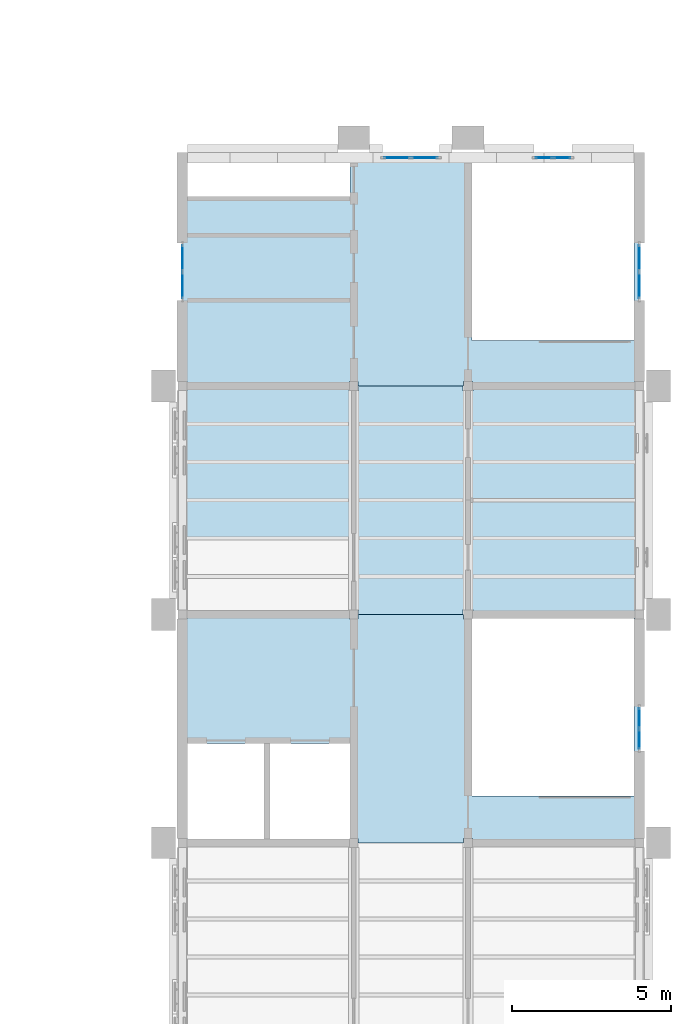
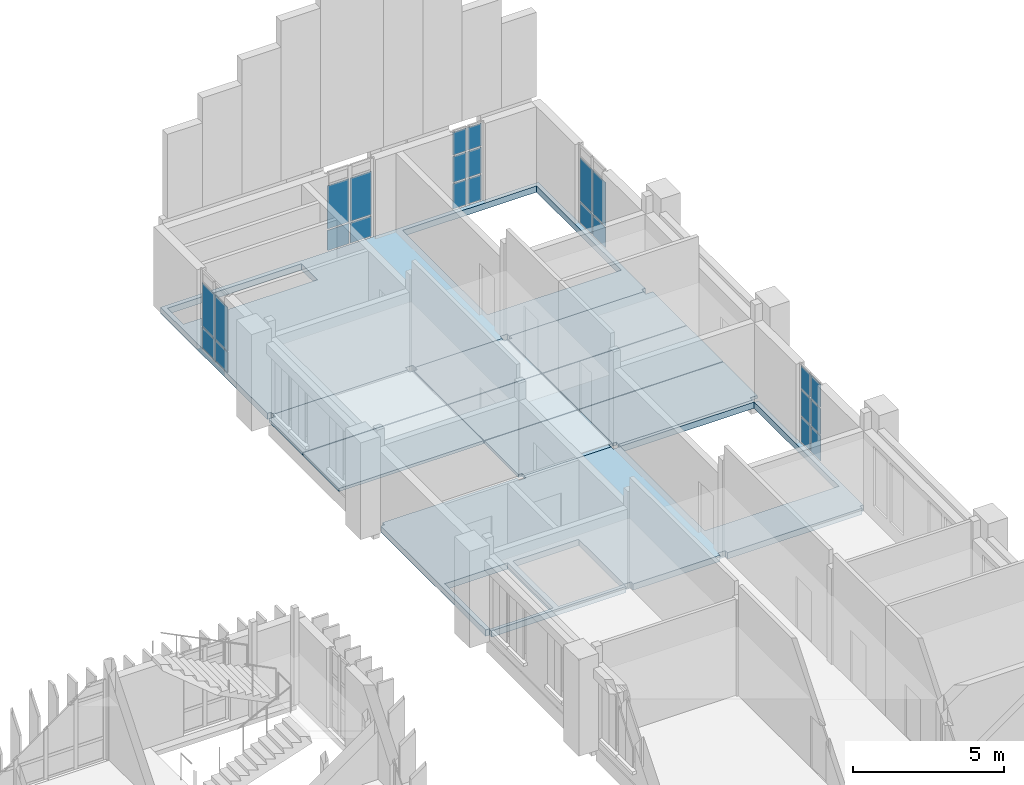
# One storey, part 37 of 71: 24 plates, 10 slabs, 5 elements without a shape of their own.
"""IFC4 building model written with IfcOpenShell, lengths in metres."""

from ifc_helpers import new_model, si_unit, direction, frame, origin, origin_2d, place, context, subcontext, project, spatial, polyline, rectangle, outline, extrude, material, layer, layer_set, type_object, element, aggregate, save


model = new_model("IFC4")

# Units and contexts
model_context = context("Model", 3, precision=1e-05, world=origin(), true_north=direction((0.0, 1.0)))
body_context = subcontext(model_context, "Body", "Model", "MODEL_VIEW")
ifc_project = project(units=[si_unit("LENGTHUNIT", "METRE"), si_unit("AREAUNIT", "SQUARE_METRE"), si_unit("VOLUMEUNIT", "CUBIC_METRE"), si_unit("PLANEANGLEUNIT", "RADIAN"), si_unit("MASSUNIT", "GRAM", prefix="KILO")], contexts=[model_context])

# Site, building, storey
site_placement = place(None, origin())
site = spatial("IfcSite", under=ifc_project, at=site_placement, CompositionType="ELEMENT")
building_placement = place(site_placement, origin())
building = spatial("IfcBuilding", under=site, at=building_placement, Name="Mazhai Court Health Centre", CompositionType="ELEMENT")
storey_placement = place(building_placement, frame((0.0, 0.0, 10.199951171875)))
storey = spatial("IfcBuildingStorey", under=building, at=storey_placement, Name="L02", CompositionType="ELEMENT", Elevation=10.199951171875)

# Slabs
ifc_material_1 = material(Name="CLT C24 5-ply", Category="wood")
ifc_layer_1 = layer(ifc_material_1, 0.1201171875)
ifc_layer_set_1 = layer_set([ifc_layer_1], Name="CLT C24 5-ply 120 floor panel")
slab_type_1 = type_object("IfcSlabType", Name="CLT C24 5-ply 120 floor panel", PredefinedType="FLOOR", material=ifc_layer_set_1)
slab_1_placement = place(storey_placement, frame((0.0, 0.0, -0.119873046875)))
element("IfcSlab", 1, at=slab_1_placement, inside=storey, type_object=slab_type_1, Name="slab-V6-L02-b4-A1", PredefinedType="FLOOR", context=body_context, shape_type="SweptSolid", body=[
    extrude(outline(polyline([(135.679931640625, 37.409912109375), (141.18994140625, 37.409912109375), (141.18994140625, 39.7900390625), (135.679931640625, 39.7900390625), (135.679931640625, 37.409912109375)])), origin(), (0.0, 0.0, 1.0), 0.119873046875),
])
slab_2_placement = place(storey_placement, frame((0.0, 0.0, -0.119873046875)))
element("IfcSlab", 2, at=slab_2_placement, inside=storey, type_object=slab_type_1, Name="slab-V6-L02-b4-A2", PredefinedType="FLOOR", context=body_context, shape_type="SweptSolid", body=[
    extrude(outline(polyline([(141.18994140625, 39.81005859375), (141.18994140625, 42.050048828125), (141.050048828125, 42.050048828125), (141.050048828125, 42.199951171875), (135.949951171875, 42.199951171875), (135.949951171875, 42.050048828125), (135.679931640625, 42.050048828125), (135.679931640625, 39.81005859375), (141.18994140625, 39.81005859375)])), origin(), (0.0, 0.0, 1.0), 0.119873046875),
])
slab_3_placement = place(storey_placement, frame((0.0, 0.0, -0.119873046875)))
element("IfcSlab", 3, at=slab_3_placement, inside=storey, type_object=slab_type_1, Name="slab-V6-L02-b4-C0", PredefinedType="FLOOR", context=body_context, shape_type="SweptSolid", body=[
    extrude(outline(polyline([(141.2099609375, 37.389892578125), (141.2099609375, 35.14990234375), (141.35009765625, 35.14990234375), (141.35009765625, 35.0), (144.64990234375, 35.0), (144.64990234375, 35.14990234375), (144.7900390625, 35.14990234375), (144.7900390625, 37.389892578125), (141.2099609375, 37.389892578125)])), origin(), (0.0, 0.0, 1.0), 0.119873046875),
])
slab_4_placement = place(storey_placement, frame((0.0, 0.0, -0.119873046875)))
element("IfcSlab", 4, at=slab_4_placement, inside=storey, type_object=slab_type_1, Name="slab-V6-L02-b4-C1", PredefinedType="FLOOR", context=body_context, shape_type="SweptSolid", body=[
    extrude(outline(polyline([(141.2099609375, 37.409912109375), (144.7900390625, 37.409912109375), (144.7900390625, 39.7900390625), (141.2099609375, 39.7900390625), (141.2099609375, 37.409912109375)])), origin(), (0.0, 0.0, 1.0), 0.119873046875),
])
slab_5_placement = place(storey_placement, frame((0.0, 0.0, -0.119873046875)))
element("IfcSlab", 5, at=slab_5_placement, inside=storey, type_object=slab_type_1, Name="slab-V6-L02-b4-C2", PredefinedType="FLOOR", context=body_context, shape_type="SweptSolid", body=[
    extrude(outline(polyline([(144.7900390625, 39.81005859375), (144.7900390625, 42.050048828125), (144.64990234375, 42.050048828125), (144.64990234375, 42.199951171875), (141.35009765625, 42.199951171875), (141.35009765625, 42.050048828125), (141.2099609375, 42.050048828125), (141.2099609375, 39.81005859375), (144.7900390625, 39.81005859375)])), origin(), (0.0, 0.0, 1.0), 0.119873046875),
])
slab_6_placement = place(storey_placement, frame((0.0, 0.0, -0.119873046875)))
element("IfcSlab", 6, at=slab_6_placement, inside=storey, type_object=slab_type_1, Name="slab-V6-L02-b4-B0", PredefinedType="FLOOR", context=body_context, shape_type="SweptSolid", body=[
    extrude(outline(polyline([(144.81005859375, 37.389892578125), (144.81005859375, 35.14990234375), (144.949951171875, 35.14990234375), (144.949951171875, 35.0), (150.050048828125, 35.0), (150.050048828125, 35.14990234375), (150.320068359375, 35.14990234375), (150.320068359375, 37.389892578125), (144.81005859375, 37.389892578125)])), origin(), (0.0, 0.0, 1.0), 0.119873046875),
])
slab_7_placement = place(storey_placement, frame((0.0, 0.0, -0.119873046875)))
element("IfcSlab", 7, at=slab_7_placement, inside=storey, type_object=slab_type_1, Name="slab-V6-L02-b4-B1", PredefinedType="FLOOR", context=body_context, shape_type="SweptSolid", body=[
    extrude(outline(polyline([(144.81005859375, 37.409912109375), (150.320068359375, 37.409912109375), (150.320068359375, 39.7900390625), (144.81005859375, 39.7900390625), (144.81005859375, 37.409912109375)])), origin(), (0.0, 0.0, 1.0), 0.119873046875),
])
slab_8_placement = place(storey_placement, frame((0.0, 0.0, -0.119873046875)))
element("IfcSlab", 8, at=slab_8_placement, inside=storey, type_object=slab_type_1, Name="slab-V6-L02-b4-B2", PredefinedType="FLOOR", context=body_context, shape_type="SweptSolid", body=[
    extrude(outline(polyline([(150.320068359375, 39.81005859375), (150.320068359375, 42.050048828125), (150.050048828125, 42.050048828125), (150.050048828125, 42.199951171875), (144.949951171875, 42.199951171875), (144.949951171875, 42.050048828125), (144.81005859375, 42.050048828125), (144.81005859375, 39.81005859375), (150.320068359375, 39.81005859375)])), origin(), (0.0, 0.0, 1.0), 0.119873046875),
])

# Curtain wall, plates
ifc_material_2 = material(Name="Teak timber frame, glazed", Category="wood")
ifc_layer_2 = layer(ifc_material_2, 0.10009765625)
ifc_layer_set_2 = layer_set([ifc_layer_2], Name="CURTAIN WALL TIMBER 900")
curtain_wall_type_1 = type_object("IfcCurtainWallType", Name="CURTAIN WALL TIMBER 900", PredefinedType="NOTDEFINED", material=ifc_layer_set_2)
curtain_wall_1_placement = place(storey_placement, origin())
curtain_wall_1 = element("IfcCurtainWall", 9, at=curtain_wall_1_placement, inside=storey, type_object=curtain_wall_type_1, Name="CW-V6-L02-A5", PredefinedType="NOTDEFINED")
ifc_material_3 = material(Name="Glass IGU 28 mm", Category="glass")
ifc_layer_3 = layer(ifc_material_3, 0.028076171875)
ifc_layer_set_3 = layer_set([ifc_layer_3], Name="CW PANEL IGU 28")
plate_type = type_object("IfcPlateType", Name="CW PANEL IGU 28", PredefinedType="CURTAIN_PANEL", material=ifc_layer_set_3)
plate_1_placement = place(storey_placement, frame((135.800048828125, 45.364990234375, 0.06005859375), z_axis=(0.0, 0.0, 1.0), x_axis=(0.0, 1.0, 0.0)))
plate_1 = element("IfcPlate", 10, at=plate_1_placement, type_object=plate_type, Name="CW panel 1.1", PredefinedType="CURTAIN_PANEL", context=body_context, shape_type="SweptSolid", body=[
    extrude(rectangle(XDim=0.81005859375, YDim=0.028076171875, at=origin_2d()), origin(), (0.0, 0.0, 1.0), 0.81005859375),
])
plate_2_placement = place(storey_placement, frame((135.800048828125, 45.364990234375, 0.93017578125), z_axis=(0.0, 0.0, 1.0), x_axis=(0.0, 1.0, 0.0)))
plate_2 = element("IfcPlate", 11, at=plate_2_placement, type_object=plate_type, Name="CW panel 1.2", PredefinedType="CURTAIN_PANEL", context=body_context, shape_type="SweptSolid", body=[
    extrude(rectangle(XDim=0.81005859375, YDim=0.028076171875, at=origin_2d()), origin(), (0.0, 0.0, 1.0), 1.739990234375),
])
plate_3_placement = place(storey_placement, frame((135.800048828125, 46.235107421875, 0.06005859375), z_axis=(0.0, 0.0, 1.0), x_axis=(0.0, 1.0, 0.0)))
plate_3 = element("IfcPlate", 12, at=plate_3_placement, type_object=plate_type, Name="CW panel 2.1", PredefinedType="CURTAIN_PANEL", context=body_context, shape_type="SweptSolid", body=[
    extrude(rectangle(XDim=0.81005859375, YDim=0.028076171875, at=origin_2d()), origin(), (0.0, 0.0, 1.0), 0.81005859375),
])
plate_4_placement = place(storey_placement, frame((135.800048828125, 46.235107421875, 0.93017578125), z_axis=(0.0, 0.0, 1.0), x_axis=(0.0, 1.0, 0.0)))
plate_4 = element("IfcPlate", 13, at=plate_4_placement, type_object=plate_type, Name="CW panel 2.2", PredefinedType="CURTAIN_PANEL", context=body_context, shape_type="SweptSolid", body=[
    extrude(rectangle(XDim=0.81005859375, YDim=0.028076171875, at=origin_2d()), origin(), (0.0, 0.0, 1.0), 1.739990234375),
])
aggregate(curtain_wall_1, [plate_1, plate_2, plate_3, plate_4])

ifc_material_4 = material(Name="Teak timber frame, glazed", Category="wood")
ifc_layer_4 = layer(ifc_material_4, 0.10009765625)
ifc_layer_set_4 = layer_set([ifc_layer_4], Name="CURTAIN WALL TIMBER 600")
curtain_wall_type_2 = type_object("IfcCurtainWallType", Name="CURTAIN WALL TIMBER 600", PredefinedType="NOTDEFINED", material=ifc_layer_set_4)
curtain_wall_2_placement = place(storey_placement, origin())
curtain_wall_2 = element("IfcCurtainWall", 14, at=curtain_wall_2_placement, inside=storey, type_object=curtain_wall_type_2, Name="CW-V6-L02-B3", PredefinedType="NOTDEFINED")
plate_5_placement = place(storey_placement, frame((150.199951171875, 31.735107421875, 0.06005859375), z_axis=(0.0, 0.0, 1.0), x_axis=(0.0, -1.0, 0.0)))
plate_5 = element("IfcPlate", 15, at=plate_5_placement, type_object=plate_type, Name="CW panel 1.1", PredefinedType="CURTAIN_PANEL", context=body_context, shape_type="SweptSolid", body=[
    extrude(rectangle(XDim=0.610107421875, YDim=0.028076171875, at=origin_2d()), origin(), (0.0, 0.0, 1.0), 1.010009765625),
])
plate_6_placement = place(storey_placement, frame((150.199951171875, 31.735107421875, 1.130126953125), z_axis=(0.0, 0.0, 1.0), x_axis=(0.0, -1.0, 0.0)))
plate_6 = element("IfcPlate", 16, at=plate_6_placement, type_object=plate_type, Name="CW panel 1.2", PredefinedType="CURTAIN_PANEL", context=body_context, shape_type="SweptSolid", body=[
    extrude(rectangle(XDim=0.610107421875, YDim=0.028076171875, at=origin_2d()), origin(), (0.0, 0.0, 1.0), 1.0400390625),
])
plate_7_placement = place(storey_placement, frame((150.199951171875, 31.735107421875, 2.22998046875), z_axis=(0.0, 0.0, 1.0), x_axis=(0.0, -1.0, 0.0)))
plate_7 = element("IfcPlate", 17, at=plate_7_placement, type_object=plate_type, Name="CW panel 1.3", PredefinedType="CURTAIN_PANEL", context=body_context, shape_type="SweptSolid", body=[
    extrude(rectangle(XDim=0.610107421875, YDim=0.028076171875, at=origin_2d()), origin(), (0.0, 0.0, 1.0), 0.909912109375),
])
plate_8_placement = place(storey_placement, frame((150.199951171875, 31.06494140625, 0.06005859375), z_axis=(0.0, 0.0, 1.0), x_axis=(0.0, -1.0, 0.0)))
plate_8 = element("IfcPlate", 18, at=plate_8_placement, type_object=plate_type, Name="CW panel 2.1", PredefinedType="CURTAIN_PANEL", context=body_context, shape_type="SweptSolid", body=[
    extrude(rectangle(XDim=0.610107421875, YDim=0.028076171875, at=origin_2d()), origin(), (0.0, 0.0, 1.0), 1.010009765625),
])
plate_9_placement = place(storey_placement, frame((150.199951171875, 31.06494140625, 1.130126953125), z_axis=(0.0, 0.0, 1.0), x_axis=(0.0, -1.0, 0.0)))
plate_9 = element("IfcPlate", 19, at=plate_9_placement, type_object=plate_type, Name="CW panel 2.2", PredefinedType="CURTAIN_PANEL", context=body_context, shape_type="SweptSolid", body=[
    extrude(rectangle(XDim=0.610107421875, YDim=0.028076171875, at=origin_2d()), origin(), (0.0, 0.0, 1.0), 1.0400390625),
])
plate_10_placement = place(storey_placement, frame((150.199951171875, 31.06494140625, 2.22998046875), z_axis=(0.0, 0.0, 1.0), x_axis=(0.0, -1.0, 0.0)))
plate_10 = element("IfcPlate", 20, at=plate_10_placement, type_object=plate_type, Name="CW panel 2.3", PredefinedType="CURTAIN_PANEL", context=body_context, shape_type="SweptSolid", body=[
    extrude(rectangle(XDim=0.610107421875, YDim=0.028076171875, at=origin_2d()), origin(), (0.0, 0.0, 1.0), 0.909912109375),
])
aggregate(curtain_wall_2, [plate_5, plate_6, plate_7, plate_8, plate_9, plate_10])

curtain_wall_3_placement = place(storey_placement, origin())
curtain_wall_3 = element("IfcCurtainWall", 21, at=curtain_wall_3_placement, inside=storey, type_object=curtain_wall_type_1, Name="CW-V6-L02-B5", PredefinedType="NOTDEFINED")
plate_11_placement = place(storey_placement, frame((150.199951171875, 46.235107421875, 0.06005859375), z_axis=(0.0, 0.0, 1.0), x_axis=(0.0, -1.0, 0.0)))
plate_11 = element("IfcPlate", 22, at=plate_11_placement, type_object=plate_type, Name="CW panel 1.1", PredefinedType="CURTAIN_PANEL", context=body_context, shape_type="SweptSolid", body=[
    extrude(rectangle(XDim=0.81005859375, YDim=0.028076171875, at=origin_2d()), origin(), (0.0, 0.0, 1.0), 0.81005859375),
])
plate_12_placement = place(storey_placement, frame((150.199951171875, 46.235107421875, 0.93017578125), z_axis=(0.0, 0.0, 1.0), x_axis=(0.0, -1.0, 0.0)))
plate_12 = element("IfcPlate", 23, at=plate_12_placement, type_object=plate_type, Name="CW panel 1.2", PredefinedType="CURTAIN_PANEL", context=body_context, shape_type="SweptSolid", body=[
    extrude(rectangle(XDim=0.81005859375, YDim=0.028076171875, at=origin_2d()), origin(), (0.0, 0.0, 1.0), 1.739990234375),
])
plate_13_placement = place(storey_placement, frame((150.199951171875, 45.364990234375, 0.06005859375), z_axis=(0.0, 0.0, 1.0), x_axis=(0.0, -1.0, 0.0)))
plate_13 = element("IfcPlate", 24, at=plate_13_placement, type_object=plate_type, Name="CW panel 2.1", PredefinedType="CURTAIN_PANEL", context=body_context, shape_type="SweptSolid", body=[
    extrude(rectangle(XDim=0.81005859375, YDim=0.028076171875, at=origin_2d()), origin(), (0.0, 0.0, 1.0), 0.81005859375),
])
plate_14_placement = place(storey_placement, frame((150.199951171875, 45.364990234375, 0.93017578125), z_axis=(0.0, 0.0, 1.0), x_axis=(0.0, -1.0, 0.0)))
plate_14 = element("IfcPlate", 25, at=plate_14_placement, type_object=plate_type, Name="CW panel 2.2", PredefinedType="CURTAIN_PANEL", context=body_context, shape_type="SweptSolid", body=[
    extrude(rectangle(XDim=0.81005859375, YDim=0.028076171875, at=origin_2d()), origin(), (0.0, 0.0, 1.0), 1.739990234375),
])
aggregate(curtain_wall_3, [plate_11, plate_12, plate_13, plate_14])

curtain_wall_4_placement = place(storey_placement, origin())
curtain_wall_4 = element("IfcCurtainWall", 26, at=curtain_wall_4_placement, inside=storey, type_object=curtain_wall_type_1, Name="CW-V6-L02-ELIFT0", PredefinedType="NOTDEFINED")
plate_15_placement = place(storey_placement, frame((142.56494140625, 49.39990234375, 0.06005859375), z_axis=(0.0, 0.0, 1.0), x_axis=(1.0, 0.0, 0.0)))
plate_15 = element("IfcPlate", 27, at=plate_15_placement, type_object=plate_type, Name="CW panel 1.1", PredefinedType="CURTAIN_PANEL", context=body_context, shape_type="SweptSolid", body=[
    extrude(rectangle(XDim=0.81005859375, YDim=0.028076171875, at=origin_2d()), origin(), (0.0, 0.0, 1.0), 0.81005859375),
])
plate_16_placement = place(storey_placement, frame((142.56494140625, 49.39990234375, 0.93017578125), z_axis=(0.0, 0.0, 1.0), x_axis=(1.0, 0.0, 0.0)))
plate_16 = element("IfcPlate", 28, at=plate_16_placement, type_object=plate_type, Name="CW panel 1.2", PredefinedType="CURTAIN_PANEL", context=body_context, shape_type="SweptSolid", body=[
    extrude(rectangle(XDim=0.81005859375, YDim=0.028076171875, at=origin_2d()), origin(), (0.0, 0.0, 1.0), 1.739990234375),
])
plate_17_placement = place(storey_placement, frame((143.43505859375, 49.39990234375, 0.06005859375), z_axis=(0.0, 0.0, 1.0), x_axis=(1.0, 0.0, 0.0)))
plate_17 = element("IfcPlate", 29, at=plate_17_placement, type_object=plate_type, Name="CW panel 2.1", PredefinedType="CURTAIN_PANEL", context=body_context, shape_type="SweptSolid", body=[
    extrude(rectangle(XDim=0.81005859375, YDim=0.028076171875, at=origin_2d()), origin(), (0.0, 0.0, 1.0), 0.81005859375),
])
plate_18_placement = place(storey_placement, frame((143.43505859375, 49.39990234375, 0.93017578125), z_axis=(0.0, 0.0, 1.0), x_axis=(1.0, 0.0, 0.0)))
plate_18 = element("IfcPlate", 30, at=plate_18_placement, type_object=plate_type, Name="CW panel 2.2", PredefinedType="CURTAIN_PANEL", context=body_context, shape_type="SweptSolid", body=[
    extrude(rectangle(XDim=0.81005859375, YDim=0.028076171875, at=origin_2d()), origin(), (0.0, 0.0, 1.0), 1.739990234375),
])
aggregate(curtain_wall_4, [plate_15, plate_16, plate_17, plate_18])

curtain_wall_5_placement = place(storey_placement, origin())
curtain_wall_5 = element("IfcCurtainWall", 31, at=curtain_wall_5_placement, inside=storey, type_object=curtain_wall_type_2, Name="CW-V6-L02-ESTAIR1", PredefinedType="NOTDEFINED")
plate_19_placement = place(storey_placement, frame((147.195068359375, 49.39990234375, 0.06005859375), z_axis=(0.0, 0.0, 1.0), x_axis=(1.0, 0.0, 0.0)))
plate_19 = element("IfcPlate", 32, at=plate_19_placement, type_object=plate_type, Name="CW panel 1.1", PredefinedType="CURTAIN_PANEL", context=body_context, shape_type="SweptSolid", body=[
    extrude(rectangle(XDim=0.510009765625, YDim=0.028076171875, at=origin_2d()), origin(), (0.0, 0.0, 1.0), 1.010009765625),
])
plate_20_placement = place(storey_placement, frame((147.195068359375, 49.39990234375, 1.130126953125), z_axis=(0.0, 0.0, 1.0), x_axis=(1.0, 0.0, 0.0)))
plate_20 = element("IfcPlate", 33, at=plate_20_placement, type_object=plate_type, Name="CW panel 1.2", PredefinedType="CURTAIN_PANEL", context=body_context, shape_type="SweptSolid", body=[
    extrude(rectangle(XDim=0.510009765625, YDim=0.028076171875, at=origin_2d()), origin(), (0.0, 0.0, 1.0), 1.0400390625),
])
plate_21_placement = place(storey_placement, frame((147.195068359375, 49.39990234375, 2.22998046875), z_axis=(0.0, 0.0, 1.0), x_axis=(1.0, 0.0, 0.0)))
plate_21 = element("IfcPlate", 34, at=plate_21_placement, type_object=plate_type, Name="CW panel 1.3", PredefinedType="CURTAIN_PANEL", context=body_context, shape_type="SweptSolid", body=[
    extrude(rectangle(XDim=0.510009765625, YDim=0.028076171875, at=origin_2d()), origin(), (0.0, 0.0, 1.0), 0.909912109375),
])
plate_22_placement = place(storey_placement, frame((147.764892578125, 49.39990234375, 0.06005859375), z_axis=(0.0, 0.0, 1.0), x_axis=(1.0, 0.0, 0.0)))
plate_22 = element("IfcPlate", 35, at=plate_22_placement, type_object=plate_type, Name="CW panel 2.1", PredefinedType="CURTAIN_PANEL", context=body_context, shape_type="SweptSolid", body=[
    extrude(rectangle(XDim=0.510009765625, YDim=0.028076171875, at=origin_2d()), origin(), (0.0, 0.0, 1.0), 1.010009765625),
])
plate_23_placement = place(storey_placement, frame((147.764892578125, 49.39990234375, 1.130126953125), z_axis=(0.0, 0.0, 1.0), x_axis=(1.0, 0.0, 0.0)))
plate_23 = element("IfcPlate", 36, at=plate_23_placement, type_object=plate_type, Name="CW panel 2.2", PredefinedType="CURTAIN_PANEL", context=body_context, shape_type="SweptSolid", body=[
    extrude(rectangle(XDim=0.510009765625, YDim=0.028076171875, at=origin_2d()), origin(), (0.0, 0.0, 1.0), 1.0400390625),
])
plate_24_placement = place(storey_placement, frame((147.764892578125, 49.39990234375, 2.22998046875), z_axis=(0.0, 0.0, 1.0), x_axis=(1.0, 0.0, 0.0)))
plate_24 = element("IfcPlate", 37, at=plate_24_placement, type_object=plate_type, Name="CW panel 2.3", PredefinedType="CURTAIN_PANEL", context=body_context, shape_type="SweptSolid", body=[
    extrude(rectangle(XDim=0.510009765625, YDim=0.028076171875, at=origin_2d()), origin(), (0.0, 0.0, 1.0), 0.909912109375),
])
aggregate(curtain_wall_5, [plate_19, plate_20, plate_21, plate_22, plate_23, plate_24])

# Slabs
ifc_material_5 = material(Name="Concrete M40", Category="concrete")
ifc_layer_5 = layer(ifc_material_5, 0.25)
ifc_layer_set_5 = layer_set([ifc_layer_5], Name="RC CORE FLOOR 250 M40")
slab_type_2 = type_object("IfcSlabType", Name="RC CORE FLOOR 250 M40", PredefinedType="FLOOR", material=ifc_layer_set_5)
slab_9_placement = place(storey_placement, frame((0.0, 0.0, -0.25)))
element("IfcSlab", 38, at=slab_9_placement, inside=storey, type_object=slab_type_2, Name="core-C9-floor-L02", PredefinedType="FLOOR", context=body_context, shape_type="SweptSolid", body=[
    extrude(outline(polyline([(135.93994140625, 34.860107421875), (135.93994140625, 35.0), (141.06005859375, 35.0), (141.06005859375, 34.860107421875), (141.340087890625, 34.860107421875), (141.340087890625, 35.0), (144.659912109375, 35.0), (144.659912109375, 34.860107421875), (144.925048828125, 34.860107421875), (144.925048828125, 29.276611328125), (150.034912109375, 29.276611328125), (150.034912109375, 34.875), (144.93994140625, 34.875), (144.93994140625, 35.0), (150.06005859375, 35.0), (150.06005859375, 34.860107421875), (150.199951171875, 34.860107421875), (150.199951171875, 27.93994140625), (150.06005859375, 27.93994140625), (150.06005859375, 27.800048828125), (144.93994140625, 27.800048828125), (144.93994140625, 27.93994140625), (144.659912109375, 27.93994140625), (144.659912109375, 27.800048828125), (141.340087890625, 27.800048828125), (141.340087890625, 27.93994140625), (141.074951171875, 27.93994140625), (141.074951171875, 30.925048828125), (138.56494140625, 30.925048828125), (138.56494140625, 27.925048828125), (141.06005859375, 27.925048828125), (141.06005859375, 27.800048828125), (135.93994140625, 27.800048828125), (135.93994140625, 27.93994140625), (135.800048828125, 27.93994140625), (135.800048828125, 34.860107421875), (135.93994140625, 34.860107421875)]), holes=[polyline([(135.965087890625, 30.925048828125), (135.965087890625, 27.925048828125), (138.364990234375, 27.925048828125), (138.364990234375, 30.925048828125), (135.965087890625, 30.925048828125)])]), origin(), (0.0, 0.0, 1.0), 0.25),
])
slab_10_placement = place(storey_placement, frame((0.0, 0.0, -0.25)))
element("IfcSlab", 39, at=slab_10_placement, inside=storey, type_object=slab_type_2, Name="core-C10-floor-L02", PredefinedType="FLOOR", context=body_context, shape_type="SweptSolid", body=[
    extrude(outline(polyline([(150.199951171875, 49.39990234375), (150.199951171875, 42.340087890625), (150.06005859375, 42.340087890625), (150.06005859375, 42.199951171875), (144.93994140625, 42.199951171875), (144.93994140625, 42.340087890625), (144.659912109375, 42.340087890625), (144.659912109375, 42.199951171875), (141.340087890625, 42.199951171875), (141.340087890625, 42.340087890625), (141.06005859375, 42.340087890625), (141.06005859375, 42.199951171875), (135.93994140625, 42.199951171875), (135.93994140625, 42.340087890625), (135.800048828125, 42.340087890625), (135.800048828125, 49.39990234375), (150.199951171875, 49.39990234375)]), holes=[polyline([(144.925048828125, 43.636474609375), (150.034912109375, 43.636474609375), (150.034912109375, 49.235107421875), (144.925048828125, 49.235107421875), (144.925048828125, 43.636474609375)]), polyline([(135.965087890625, 49.235107421875), (135.965087890625, 48.175048828125), (141.074951171875, 48.175048828125), (141.074951171875, 49.235107421875), (135.965087890625, 49.235107421875)])]), origin(), (0.0, 0.0, 1.0), 0.25),
])

save(model, "model.ifc")
